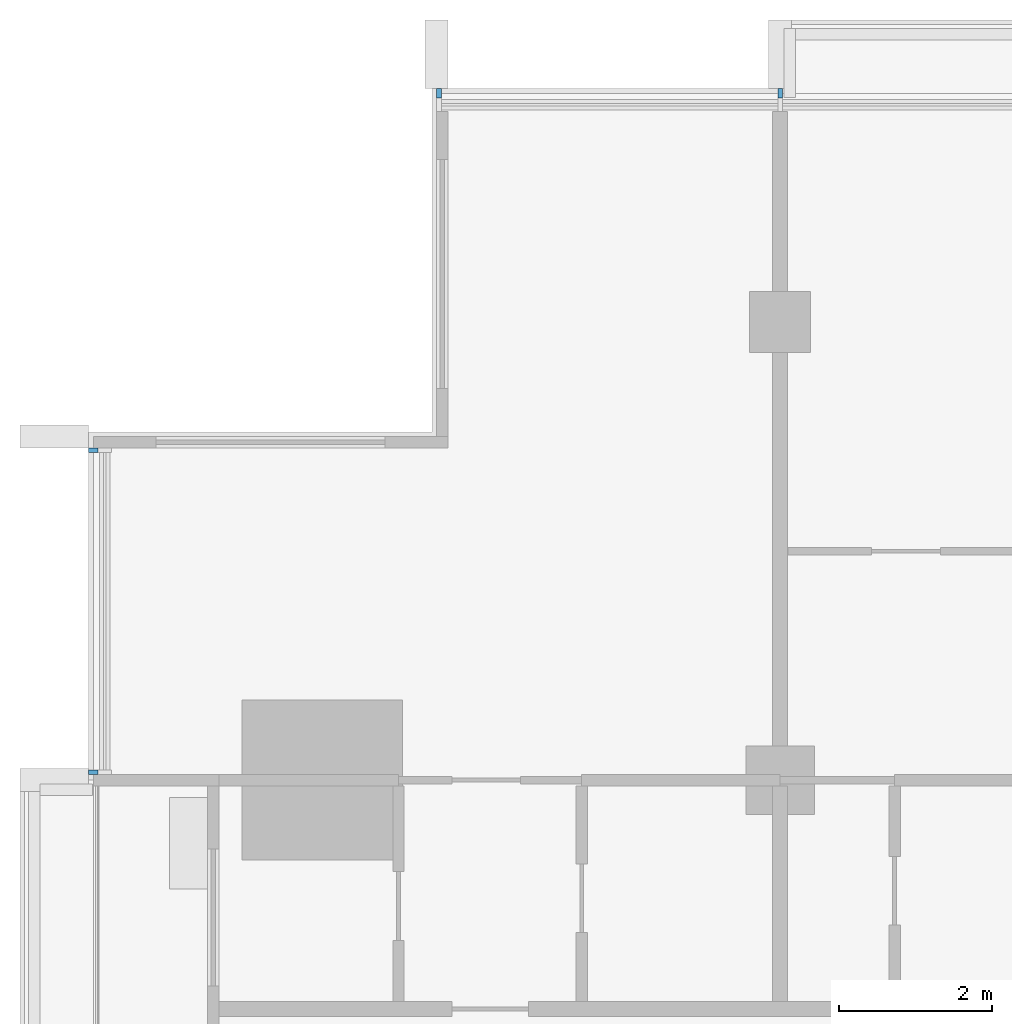
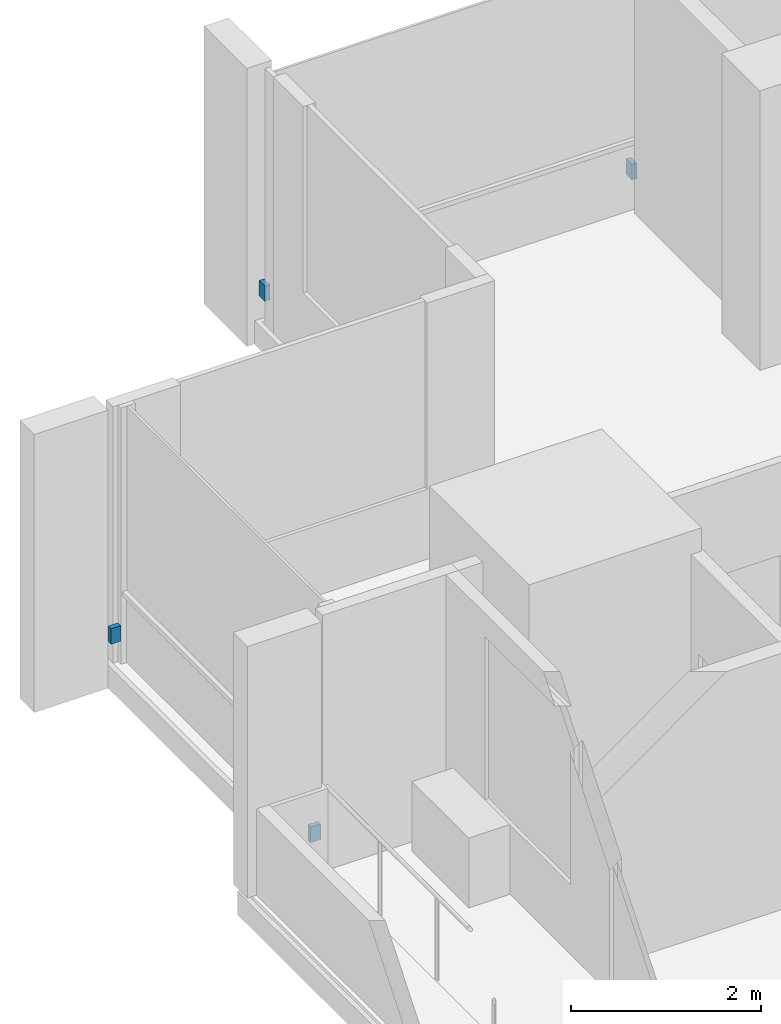
# One storey, part 14 of 16: 4 discrete accessories.
"""IFC4 building model written with IfcOpenShell, lengths in metres."""

from ifc_helpers import new_model, si_unit, direction, frame, origin, origin_2d, place, context, subcontext, project, spatial, rectangle, extrude, material, type_object, element, save


model = new_model("IFC4")

# Units and contexts
model_context = context("Model", 3, precision=1e-05, world=origin(), true_north=direction((0.0, 1.0)))
body_context = subcontext(model_context, "Body", "Model", "MODEL_VIEW")
ifc_project = project(units=[si_unit("LENGTHUNIT", "METRE"), si_unit("AREAUNIT", "SQUARE_METRE"), si_unit("VOLUMEUNIT", "CUBIC_METRE"), si_unit("PLANEANGLEUNIT", "RADIAN"), si_unit("MASSUNIT", "GRAM", prefix="KILO")], contexts=[model_context])

# Site, building, storey
site_placement = place(None, origin())
site = spatial("IfcSite", under=ifc_project, at=site_placement, CompositionType="ELEMENT")
building_placement = place(site_placement, origin())
building = spatial("IfcBuilding", under=site, at=building_placement, Name="Finial Court Residences", CompositionType="ELEMENT")
storey_placement = place(building_placement, frame((0.0, 0.0, 223.10009765625)))
storey = spatial("IfcBuildingStorey", under=building, at=storey_placement, Name="L56", CompositionType="ELEMENT", Elevation=223.10009765625)

# Discrete accessories
ifc_material = material(Name="Stainless steel 316", Category="steel")
discrete_accessory_type = type_object("IfcDiscreteAccessoryType", Name="Fin bracket, stainless steel 60 x 122 x 200", PredefinedType="BRACKET", material=ifc_material)
for number, where, z_axis, x_axis, name in (
    (1, (-14.969970703125, 16.498779296875, 0.2998046875), (0.0, 0.0, 1.0), (1.0, 0.0, 0.0), "E-L56-FIN-N1-BRK"),
    (2, (-10.5, 16.498779296875, 0.2998046875), (0.0, 0.0, 1.0), (1.0, 0.0, 0.0), "E-L56-FIN-N2-BRK"),
):
    element("IfcDiscreteAccessory", number, at=place(storey_placement, frame(where, z_axis=z_axis, x_axis=x_axis)), inside=storey, type_object=discrete_accessory_type, Name=name, PredefinedType="BRACKET", context=body_context, shape_type="SweptSolid", body=[
        extrude(rectangle(XDim=0.06005859375, YDim=0.12255859375, at=origin_2d()), origin(), (0.0, 0.0, 1.0), 0.199951171875),
    ])
for number, where, z_axis, x_axis, name in (
    (3, (-19.498779296875, 7.60498046875, 0.2998046875), (0.0, 0.0, 1.0), (1.0, 0.0, 0.0), "E-L56-FIN-W25-BRK"),
    (4, (-19.498779296875, 11.820068359375, 0.2998046875), (0.0, 0.0, 1.0), (1.0, 0.0, 0.0), "E-L56-FIN-W26-BRK"),
):
    element("IfcDiscreteAccessory", number, at=place(storey_placement, frame(where, z_axis=z_axis, x_axis=x_axis)), inside=storey, type_object=discrete_accessory_type, Name=name, PredefinedType="BRACKET", context=body_context, shape_type="SweptSolid", body=[
        extrude(rectangle(XDim=0.12255859375, YDim=0.06005859375, at=origin_2d()), origin(), (0.0, 0.0, 1.0), 0.199951171875),
    ])

save(model, "model.ifc")
